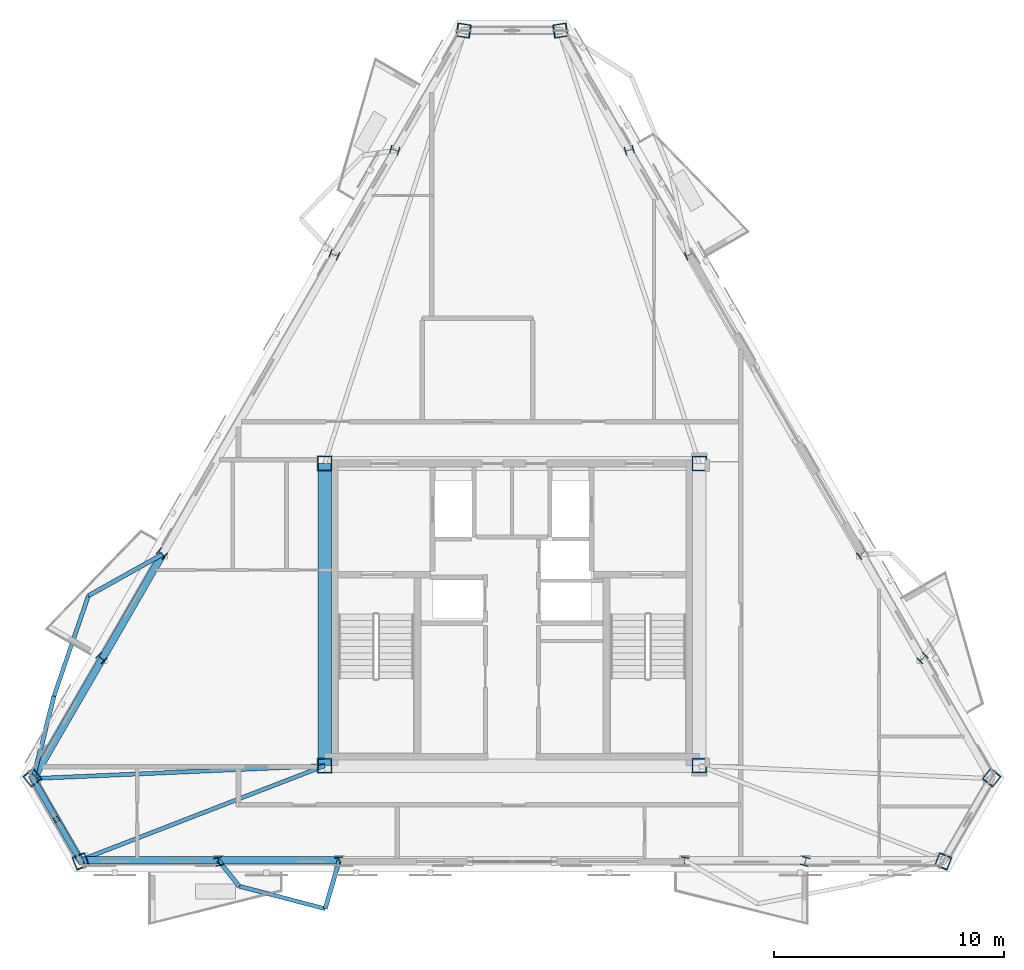
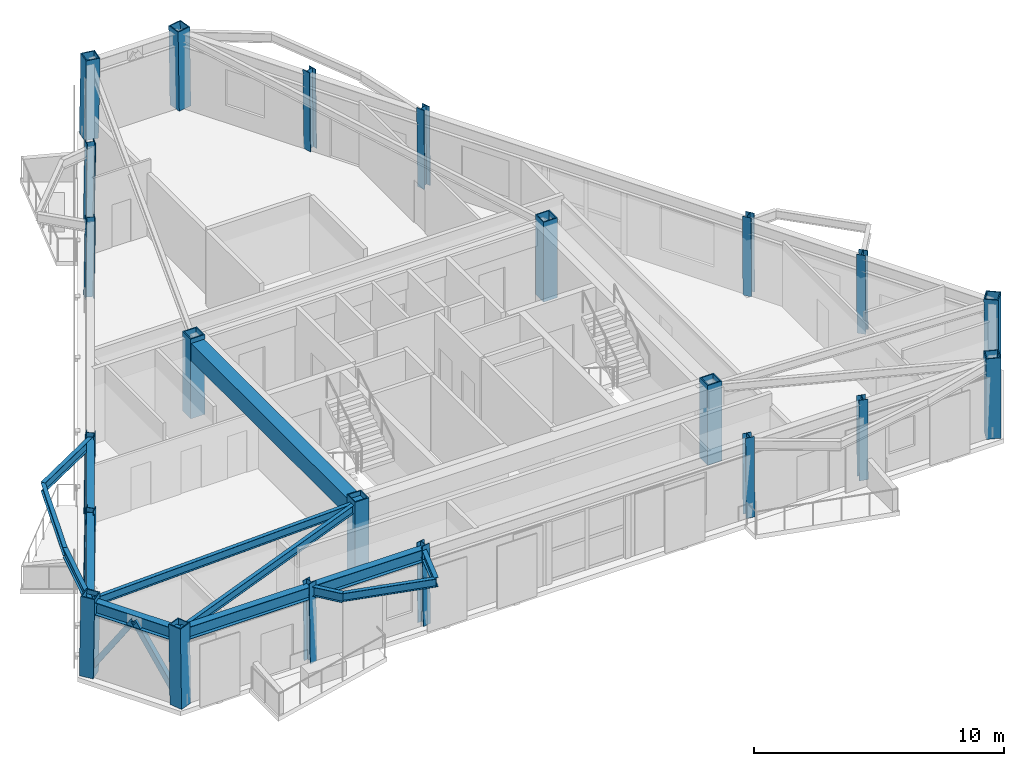
# One storey, part 1 of 15: 22 columns, 14 beams, 2 members.
"""IFC4 building model written with IfcOpenShell, lengths in metres."""

from ifc_helpers import new_model, si_unit, direction, frame, origin, origin_2d, place, context, subcontext, project, spatial, rectangle, hollow_rectangle, i_section, extrude, material, material_profile, profile_set, type_object, element, save


model = new_model("IFC4")

# Units and contexts
model_context = context("Model", 3, precision=1e-05, world=origin(), true_north=direction((0.0, 1.0)))
body_context = subcontext(model_context, "Body", "Model", "MODEL_VIEW")
ifc_project = project(units=[si_unit("LENGTHUNIT", "METRE"), si_unit("AREAUNIT", "SQUARE_METRE"), si_unit("VOLUMEUNIT", "CUBIC_METRE"), si_unit("PLANEANGLEUNIT", "RADIAN"), si_unit("MASSUNIT", "GRAM", prefix="KILO")], contexts=[model_context])

# Site, building, storey
site_placement = place(None, origin())
site = spatial("IfcSite", under=ifc_project, at=site_placement, CompositionType="ELEMENT")
building_placement = place(site_placement, origin())
building = spatial("IfcBuilding", under=site, at=building_placement, Name="Oramaril Tower", CompositionType="ELEMENT")
storey_placement = place(building_placement, frame((0.0, 0.0, 288.89990234375)))
storey = spatial("IfcBuildingStorey", under=building, at=storey_placement, Name="L76", CompositionType="ELEMENT", Elevation=288.89990234375)

# Columns
ifc_material_1 = material(Name="Steel ASTM A572 Gr 50", Category="steel")
ifc_material_profile_1 = material_profile(ifc_material_1, hollow_rectangle(XDim=0.64990234375, YDim=0.64990234375, WallThickness=0.050048828125, at=origin_2d()), Name="BOX650X650X50")
ifc_profile_set_1 = profile_set([ifc_material_profile_1], Name="Steel ASTM A572 Gr 50")
column_type_1 = type_object("IfcColumnType", Name="CT-CC5", PredefinedType="COLUMN", material=ifc_profile_set_1)
for number, where, z_axis, x_axis, name in (
    (1, (29.35009765625, 11.0, 0.0), (0.0, 0.0, 1.0), (1.0, 0.0, 0.0), "L76 Core Column CC-1"),
    (2, (45.64990234375, 11.0, 0.0), (0.0, 0.0, 1.0), (1.0, 0.0, 0.0), "L76 Core Column CC-2"),
    (3, (45.64990234375, 24.14990234375, 0.0), (0.0, 0.0, 1.0), (1.0, 0.0, 0.0), "L76 Core Column CC-3"),
    (4, (29.35009765625, 24.14990234375, 0.0), (0.0, 0.0, 1.0), (1.0, 0.0, 0.0), "L76 Core Column CC-4"),
):
    element("IfcColumn", number, at=place(storey_placement, frame(where, z_axis=z_axis, x_axis=x_axis)), inside=storey, type_object=column_type_1, Name=name, PredefinedType="COLUMN", context=body_context, shape_type="SweptSolid", body=[
        extrude(hollow_rectangle(XDim=0.64990234375, YDim=0.64990234375, WallThickness=0.050048828125, at=origin_2d()), origin(), (0.0, 0.0, 1.0), 3.900146484375),
    ])
ifc_material_2 = material(Name="Steel ASTM A572 Gr 50", Category="steel")
ifc_material_profile_2 = material_profile(ifc_material_2, hollow_rectangle(XDim=0.60009765625, YDim=0.60009765625, WallThickness=0.044921875, at=origin_2d()), Name="BOX600X600X45")
ifc_profile_set_2 = profile_set([ifc_material_profile_2], Name="Steel ASTM A572 Gr 50")
column_type_2 = type_object("IfcColumnType", Name="CT-TC5", PredefinedType="COLUMN", material=ifc_profile_set_2)
for number, where, z_axis, x_axis, name in (
    (5, (16.624267578125, 10.4873046875, 0.004638671875), (0.009850059028, -0.012359628207, 0.999875100164), (0.782029319929, 0.623241640755, 0.0), "L76 Tube Column TC-01"),
    (6, (18.737060546875, 6.827392578125, 0.004638671875), (-0.005709274613, 0.014680991862, 0.999875928634), (-0.932004671541, -0.362446261155, 0.0), "L76 Tube Column TC-02"),
    (7, (56.262939453125, 6.827392578125, 0.004638671875), (0.005709274613, 0.014680991862, 0.999875928634), (-0.932004671541, 0.362446261155, 0.0), "L76 Tube Column TC-03"),
    (8, (58.375732421875, 10.4873046875, 0.004638671875), (-0.009850059028, -0.012359628207, 0.999875100164), (0.782029319929, -0.623241640755, 0.0), "L76 Tube Column TC-04"),
    (9, (39.613037109375, 42.985595703125, 0.004638671875), (-0.015622066172, -0.002446829641, 0.999874974221), (0.154739976047, -0.987955231685, 0.0), "L76 Tube Column TC-05"),
    (10, (35.386962890625, 42.985595703125, 0.004638671875), (0.015622066172, -0.002446829641, 0.999874974221), (0.154739976047, 0.987955231685, 0.0), "L76 Tube Column TC-06"),
):
    element("IfcColumn", number, at=place(storey_placement, frame(where, z_axis=z_axis, x_axis=x_axis)), inside=storey, type_object=column_type_2, Name=name, PredefinedType="COLUMN", context=body_context, shape_type="SweptSolid", body=[
        extrude(hollow_rectangle(XDim=0.60009765625, YDim=0.60009765625, WallThickness=0.044921875, at=origin_2d()), origin(), (0.0, 0.0, 1.0), 3.891357421875),
    ])
ifc_material_3 = material(Name="Steel ASTM A572 Gr 50", Category="steel")
ifc_material_profile_3 = material_profile(ifc_material_3, i_section(OverallWidth=0.373046875, OverallDepth=0.373046875, WebThickness=0.016357421875, FlangeThickness=0.026123046875, at=origin_2d()), Name="W14X132")
ifc_profile_set_3 = profile_set([ifc_material_profile_3], Name="Steel ASTM A572 Gr 50")
column_type_3 = type_object("IfcColumnType", Name="CT-TF5", PredefinedType="COLUMN", material=ifc_profile_set_3)
for number, where, z_axis, x_axis, name in (
    (11, (24.7412109375, 6.827392578125, 0.004638671875), (-0.003889869419, 0.014681120065, 0.999884660163), (-0.966645090183, -0.256119639279, 0.0), "L76 Tube Column TC-07"),
    (12, (29.994873046875, 6.827392578125, 0.004638671875), (-0.002258645183, 0.014681193689, 0.999889674451), (-0.988371697651, -0.152057184254, 0.0), "L76 Tube Column TC-08"),
    (13, (45.005126953125, 6.827392578125, 0.004638671875), (0.002258645183, 0.014681193689, 0.999889674451), (-0.988371697651, 0.152057184254, 0.0), "L76 Tube Column TC-09"),
    (14, (50.2587890625, 6.827392578125, 0.004638671875), (0.003889869419, 0.014681120065, 0.999884660163), (-0.966645090183, 0.256119639279, 0.0), "L76 Tube Column TC-10"),
    (15, (55.373779296875, 15.68701171875, 0.004638671875), (-0.010791245867, -0.010728506066, 0.999884217382), (0.705042249008, -0.709165303095, 0.0), "L76 Tube Column TC-11"),
    (16, (52.7470703125, 20.23681640625, 0.004638671875), (-0.01160691126, -0.00941100913, 0.999888350026), (0.629801958421, -0.77675574872, 0.0), "L76 Tube Column TC-12"),
    (17, (45.24169921875, 33.236083984375, 0.004638671875), (-0.013865566769, -0.005395650417, 0.999889310381), (0.36264974698, -0.931925512589, 0.0), "L76 Tube Column TC-13"),
    (18, (42.614990234375, 37.785888671875, 0.004638671875), (-0.014681112784, -0.004015347086, 0.999884164249), (0.263814924551, -0.964573317889, 0.0), "L76 Tube Column TC-14"),
    (19, (32.385009765625, 37.785888671875, 0.004638671875), (0.014681112784, -0.004015347086, 0.999884164249), (0.263814924551, 0.964573317889, 0.0), "L76 Tube Column TC-15"),
    (20, (29.75830078125, 33.236083984375, 0.004638671875), (0.013865566769, -0.005395650417, 0.999889310381), (0.36264974698, 0.931925512589, 0.0), "L76 Tube Column TC-16"),
    (21, (22.2529296875, 20.23681640625, 0.004638671875), (0.01160691126, -0.00941100913, 0.999888350026), (0.629801958421, 0.77675574872, 0.0), "L76 Tube Column TC-17"),
    (22, (19.626220703125, 15.68701171875, 0.004638671875), (0.010791245867, -0.010728506066, 0.999884217382), (0.705042249008, 0.709165303095, 0.0), "L76 Tube Column TC-18"),
):
    element("IfcColumn", number, at=place(storey_placement, frame(where, z_axis=z_axis, x_axis=x_axis)), inside=storey, type_object=column_type_3, Name=name, PredefinedType="COLUMN", context=body_context, shape_type="SweptSolid", body=[
        extrude(i_section(OverallWidth=0.373046875, OverallDepth=0.373046875, WebThickness=0.016357421875, FlangeThickness=0.026123046875, at=origin_2d()), origin(), (0.0, 0.0, 1.0), 3.891357421875),
    ])

# Beams
ifc_material_4 = material(Name="Steel ASTM A572 Gr 50", Category="steel")
ifc_material_profile_4 = material_profile(ifc_material_4, i_section(OverallWidth=0.19091796875, OverallDepth=0.45703125, WebThickness=0.009033203125, FlangeThickness=0.014404296875, at=origin_2d()), Name="W18X50")
ifc_profile_set_4 = profile_set([ifc_material_profile_4], Name="Steel ASTM A572 Gr 50")
beam_type_1 = type_object("IfcBeamType", Name="BT-BB1", PredefinedType="BEAM", material=ifc_profile_set_4)
beam_1_placement = place(storey_placement, frame((24.72607421875, 6.884521484375, 3.45166015625), z_axis=(0.624179336807, -0.781281098903, 0.0), x_axis=(0.781281098903, 0.624179336807, 0.0)))
element("IfcBeam", 23, at=beam_1_placement, inside=storey, type_object=beam_type_1, Name="L76 Balcony Column-Framed Cantilever 01.1", PredefinedType="BEAM", context=body_context, shape_type="SweptSolid", body=[
    extrude(i_section(OverallWidth=0.19091796875, OverallDepth=0.45703125, WebThickness=0.009033203125, FlangeThickness=0.014404296875, at=origin_2d()), origin(), (0.0, 0.0, 1.0), 1.443603515625),
])
beam_2_placement = place(storey_placement, frame((29.986083984375, 6.884521484375, 3.45166015625), z_axis=(-0.279974381911, -0.960007471572, 0.0), x_axis=(0.960007471572, -0.279974381911, 0.0)))
element("IfcBeam", 24, at=beam_2_placement, inside=storey, type_object=beam_type_1, Name="L76 Balcony Column-Framed Cantilever 01.2", PredefinedType="BEAM", context=body_context, shape_type="SweptSolid", body=[
    extrude(i_section(OverallWidth=0.19091796875, OverallDepth=0.45703125, WebThickness=0.009033203125, FlangeThickness=0.014404296875, at=origin_2d()), origin(), (0.0, 0.0, 1.0), 2.19580078125),
])
for number, where, z_axis, x_axis, name in (
    (25, (22.298095703125, 20.2001953125, 3.45166015625), (-0.87271859653, -0.488223566893, 0.0), (0.488223566893, -0.87271859653, 0.0), "L76 Balcony Column-Framed Cantilever 06.1"),
    (26, (16.66259765625, 10.439208984375, 3.45166015625), (0.245329243552, 0.969439818791, 0.0), (-0.969439818791, 0.245329243552, 0.0), "L76 Balcony Column-Framed Cantilever 06.2"),
):
    element("IfcBeam", number, at=place(storey_placement, frame(where, z_axis=z_axis, x_axis=x_axis)), inside=storey, type_object=beam_type_1, Name=name, PredefinedType="BEAM", context=body_context, shape_type="SweptSolid", body=[
        extrude(i_section(OverallWidth=0.19091796875, OverallDepth=0.45703125, WebThickness=0.009033203125, FlangeThickness=0.014404296875, at=origin_2d()), origin(), (0.0, 0.0, 1.0), 3.699951171875),
    ])
ifc_material_5 = material(Name="Concrete C50/60", Category="concrete")
ifc_material_profile_5 = material_profile(ifc_material_5, rectangle(XDim=0.60009765625, YDim=0.85009765625, at=origin_2d()), Name="CB600X850")
ifc_profile_set_5 = profile_set([ifc_material_profile_5], Name="Concrete C50/60")
beam_type_2 = type_object("IfcBeamType", Name="BT-CB2", PredefinedType="BEAM", material=ifc_profile_set_5)
beam_3_placement = place(storey_placement, frame((29.35009765625, 24.14990234375, 3.255126953125), z_axis=(0.0, -1.0, 0.0), x_axis=(1.0, 0.0, 0.0)))
element("IfcBeam", 27, at=beam_3_placement, inside=storey, type_object=beam_type_2, Name="L76 Core Header Beam CB-4", PredefinedType="BEAM", context=body_context, shape_type="SweptSolid", body=[
    extrude(rectangle(XDim=0.60009765625, YDim=0.85009765625, at=origin_2d()), origin(), (0.0, 0.0, 1.0), 13.14990234375),
])
ifc_material_6 = material(Name="Steel ASTM A572 Gr 50", Category="steel")
ifc_material_profile_6 = material_profile(ifc_material_6, i_section(OverallWidth=0.177978515625, OverallDepth=0.404052734375, WebThickness=0.007568359375, FlangeThickness=0.010986328125, at=origin_2d()), Name="W16X36")
ifc_profile_set_6 = profile_set([ifc_material_profile_6], Name="Steel ASTM A572 Gr 50")
beam_type_3 = type_object("IfcBeamType", Name="BT-SB1", PredefinedType="BEAM", material=ifc_profile_set_6)
beam_4_placement = place(storey_placement, frame((29.35009765625, 11.0, 3.47802734375), z_axis=(-0.999024596728, -0.044157163999, 0.0), x_axis=(0.044157163999, -0.999024596728, 0.0)))
element("IfcBeam", 28, at=beam_4_placement, inside=storey, type_object=beam_type_3, Name="L76 Radial Primary Beam RB-01", PredefinedType="BEAM", context=body_context, shape_type="SweptSolid", body=[
    extrude(i_section(OverallWidth=0.177978515625, OverallDepth=0.404052734375, WebThickness=0.007568359375, FlangeThickness=0.010986328125, at=origin_2d()), origin(), (0.0, 0.0, 1.0), 12.699951171875),
])
beam_5_placement = place(storey_placement, frame((29.35009765625, 11.0, 3.47802734375), z_axis=(-0.93260924357, -0.360887792545, 0.0), x_axis=(0.360887792545, -0.93260924357, 0.0)))
element("IfcBeam", 29, at=beam_5_placement, inside=storey, type_object=beam_type_3, Name="L76 Radial Primary Beam RB-02", PredefinedType="BEAM", context=body_context, shape_type="SweptSolid", body=[
    extrude(i_section(OverallWidth=0.177978515625, OverallDepth=0.404052734375, WebThickness=0.007568359375, FlangeThickness=0.010986328125, at=origin_2d()), origin(), (0.0, 0.0, 1.0), 11.40380859375),
])
beam_6_placement = place(storey_placement, frame((25.627197265625, 5.756591796875, 3.47802734375), z_axis=(0.967411967632, -0.253207592467, 0.0), x_axis=(0.253207592467, 0.967411967632, 0.0)))
element("IfcBeam", 30, at=beam_6_placement, inside=storey, type_object=beam_type_3, Name="L76 Balcony Edge Tie Beam 01", PredefinedType="BEAM", context=body_context, shape_type="SweptSolid", body=[
    extrude(i_section(OverallWidth=0.177978515625, OverallDepth=0.404052734375, WebThickness=0.007568359375, FlangeThickness=0.010986328125, at=origin_2d()), origin(), (0.0, 0.0, 1.0), 3.870361328125),
])
beam_7_placement = place(storey_placement, frame((19.069091796875, 18.393798828125, 3.47802734375), z_axis=(-0.324574378, -0.945860176319, 0.0), x_axis=(0.945860176319, -0.324574378, 0.0)))
element("IfcBeam", 31, at=beam_7_placement, inside=storey, type_object=beam_type_3, Name="L76 Balcony Edge Tie Beam 06", PredefinedType="BEAM", context=body_context, shape_type="SweptSolid", body=[
    extrude(i_section(OverallWidth=0.177978515625, OverallDepth=0.404052734375, WebThickness=0.007568359375, FlangeThickness=0.010986328125, at=origin_2d()), origin(), (0.0, 0.0, 1.0), 4.61767578125),
])
ifc_material_7 = material(Name="Steel ASTM A572 Gr 50", Category="steel")
ifc_material_profile_7 = material_profile(ifc_material_7, i_section(OverallWidth=0.324951171875, OverallDepth=0.612060546875, WebThickness=0.0126953125, FlangeThickness=0.01904296875, at=origin_2d()), Name="W24X104")
ifc_profile_set_7 = profile_set([ifc_material_profile_7], Name="Steel ASTM A572 Gr 50")
beam_type_4 = type_object("IfcBeamType", Name="BT-SP5", PredefinedType="SPANDREL", material=ifc_profile_set_7)
beam_8_placement = place(storey_placement, frame((16.66259765625, 10.439208984375, 3.3740234375), z_axis=(0.499990189338, -0.866031067899, 0.0), x_axis=(0.866031067899, 0.499990189338, 0.0)))
element("IfcBeam", 32, at=beam_8_placement, inside=storey, type_object=beam_type_4, Name="L76 Perimeter Spandrel 01", PredefinedType="SPANDREL", context=body_context, shape_type="SweptSolid", body=[
    extrude(i_section(OverallWidth=0.324951171875, OverallDepth=0.612060546875, WebThickness=0.0126953125, FlangeThickness=0.01904296875, at=origin_2d()), origin(), (0.0, 0.0, 1.0), 4.1044921875),
])
beam_9_placement = place(storey_placement, frame((18.71484375, 6.884521484375, 3.3740234375), z_axis=(1.0, 0.0, 0.0), x_axis=(0.0, 1.0, 0.0)))
element("IfcBeam", 33, at=beam_9_placement, inside=storey, type_object=beam_type_4, Name="L76 Perimeter Spandrel 02", PredefinedType="SPANDREL", context=body_context, shape_type="SweptSolid", body=[
    extrude(i_section(OverallWidth=0.324951171875, OverallDepth=0.612060546875, WebThickness=0.0126953125, FlangeThickness=0.01904296875, at=origin_2d()), origin(), (0.0, 0.0, 1.0), 6.01123046875),
])
beam_10_placement = place(storey_placement, frame((24.72607421875, 6.884521484375, 3.3740234375), z_axis=(1.0, 0.0, 0.0), x_axis=(0.0, 1.0, 0.0)))
element("IfcBeam", 34, at=beam_10_placement, inside=storey, type_object=beam_type_4, Name="L76 Perimeter Spandrel 03", PredefinedType="SPANDREL", context=body_context, shape_type="SweptSolid", body=[
    extrude(i_section(OverallWidth=0.324951171875, OverallDepth=0.612060546875, WebThickness=0.0126953125, FlangeThickness=0.01904296875, at=origin_2d()), origin(), (0.0, 0.0, 1.0), 5.260009765625),
])
beam_11_placement = place(storey_placement, frame((22.298095703125, 20.2001953125, 3.3740234375), z_axis=(-0.500013090742, -0.866017845709, 0.0), x_axis=(0.866017845709, -0.500013090742, 0.0)))
element("IfcBeam", 35, at=beam_11_placement, inside=storey, type_object=beam_type_4, Name="L76 Perimeter Spandrel 17", PredefinedType="SPANDREL", context=body_context, shape_type="SweptSolid", body=[
    extrude(i_section(OverallWidth=0.324951171875, OverallDepth=0.612060546875, WebThickness=0.0126953125, FlangeThickness=0.01904296875, at=origin_2d()), origin(), (0.0, 0.0, 1.0), 5.259521484375),
])
beam_12_placement = place(storey_placement, frame((19.668212890625, 15.645263671875, 3.3740234375), z_axis=(-0.499987293943, -0.866032739505, 0.0), x_axis=(0.866032739505, -0.499987293943, 0.0)))
element("IfcBeam", 36, at=beam_12_placement, inside=storey, type_object=beam_type_4, Name="L76 Perimeter Spandrel 18", PredefinedType="SPANDREL", context=body_context, shape_type="SweptSolid", body=[
    extrude(i_section(OverallWidth=0.324951171875, OverallDepth=0.612060546875, WebThickness=0.0126953125, FlangeThickness=0.01904296875, at=origin_2d()), origin(), (0.0, 0.0, 1.0), 6.011474609375),
])

# Members
ifc_material_8 = material(Name="Steel ASTM A572 Gr 50", Category="steel")
ifc_material_profile_8 = material_profile(ifc_material_8, hollow_rectangle(XDim=0.25, YDim=0.25, WallThickness=0.011962890625, at=origin_2d()), Name="HSS250X250X12")
ifc_profile_set_8 = profile_set([ifc_material_profile_8], Name="Steel ASTM A572 Gr 50")
member_type = type_object("IfcMemberType", Name="MT-KB3", PredefinedType="BRACE", material=ifc_profile_set_8)
for number, where, z_axis, x_axis, name in (
    (37, (16.624267578125, 10.4873046875, 0.18017578125), (0.275850475917, -0.477877320887, 0.833990276393), (0.866066305525, 0.499929149414, 0.0), "L76 Perimeter Chevron Brace KB-1A"),
    (38, (18.737060546875, 6.827392578125, 0.18017578125), (-0.275858879566, 0.477828126265, 0.834015683495), (-0.866037425094, -0.499979177903, 0.0), "L76 Perimeter Chevron Brace KB-1B"),
):
    element("IfcMember", number, at=place(storey_placement, frame(where, z_axis=z_axis, x_axis=x_axis)), inside=storey, type_object=member_type, Name=name, PredefinedType="BRACE", context=body_context, shape_type="SweptSolid", body=[
        extrude(hollow_rectangle(XDim=0.25, YDim=0.25, WallThickness=0.011962890625, at=origin_2d()), origin(), (0.0, 0.0, 1.0), 3.82958984375),
    ])

save(model, "model.ifc")
